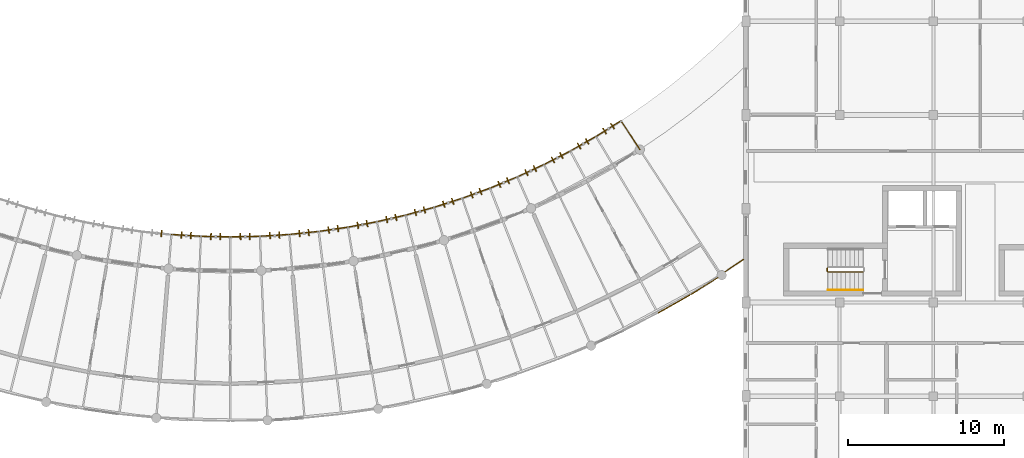
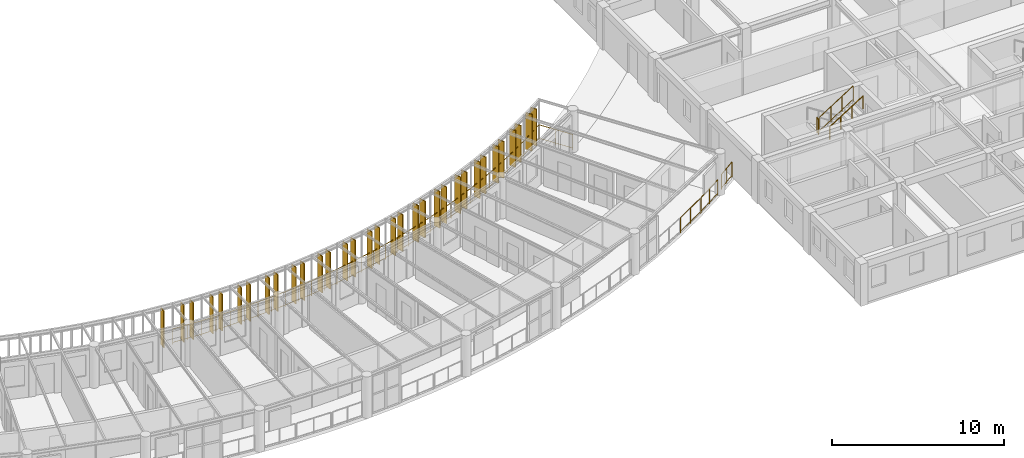
# One storey, part 93 of 101: 33 shading devices, 23 railings.
"""IFC4 building model written with IfcOpenShell, lengths in metres."""

from ifc_helpers import new_model, si_unit, direction, frame, origin, origin_2d, place, context, subcontext, project, spatial, rectangle, circle, extrude, material, layer, layer_set, type_object, element, save


model = new_model("IFC4")

# Units and contexts
model_context = context("Model", 3, precision=1e-05, world=origin(), true_north=direction((0.0, 1.0)))
body_context = subcontext(model_context, "Body", "Model", "MODEL_VIEW")
ifc_project = project(units=[si_unit("LENGTHUNIT", "METRE"), si_unit("AREAUNIT", "SQUARE_METRE"), si_unit("VOLUMEUNIT", "CUBIC_METRE"), si_unit("PLANEANGLEUNIT", "RADIAN"), si_unit("MASSUNIT", "GRAM", prefix="KILO"), si_unit("POWERUNIT", "WATT"), si_unit("THERMODYNAMICTEMPERATUREUNIT", "KELVIN")], contexts=[model_context])

# Site, building, storey
site_placement = place(None, origin())
site = spatial("IfcSite", under=ifc_project, at=site_placement, CompositionType="ELEMENT")
building_placement = place(site_placement, origin())
building = spatial("IfcBuilding", under=site, at=building_placement, Name="Ruvembo Vaulted Housing Court", CompositionType="ELEMENT")
storey_placement = place(building_placement, frame((0.0, 0.0, 17.300048828125)))
storey = spatial("IfcBuildingStorey", under=building, at=storey_placement, Name="L05", CompositionType="ELEMENT", Elevation=17.300048828125)

# Railings
ifc_material_1 = material(Name="Galvanised Painted Steel and Laminated Glass", Category="steel")
ifc_layer_1 = layer(ifc_material_1, 0.070068359375, Name="Galvanised Painted Steel and Laminated Glass")
ifc_layer_set_1 = layer_set([ifc_layer_1], Name="Galvanised Painted Steel and Laminated Glass")
railing_type_1 = type_object("IfcRailingType", Name="RL-BALUST-1120", PredefinedType="BALUSTRADE", material=ifc_layer_set_1)
railing_1_placement = place(storey_placement, frame((96.4072265625, 11.339599609375, 0.0)))
element("IfcRailing", 1, at=railing_1_placement, inside=storey, type_object=railing_type_1, Name="L05 Perimeter Guard RL-EXT-L05-0494", PredefinedType="BALUSTRADE", context=body_context, shape_type="SweptSolid", body=[
    extrude(circle(Radius=0.02392578125, at=origin_2d()), frame((0.0, 0.0, 1.09619140625), z_axis=(0.869960830337, 0.49312083071, 0.0), x_axis=(-0.49312083071, 0.869960830337, 0.0)), (0.0, 0.0, 1.0), 2.27587890625),
    extrude(circle(Radius=0.01806640625, at=origin_2d()), frame((0.0, 0.0, 0.1201171875), z_axis=(0.869960830337, 0.49312083071, 0.0), x_axis=(-0.49312083071, 0.869960830337, 0.0)), (0.0, 0.0, 1.0), 2.27587890625),
    extrude(circle(Radius=0.02099609375, at=origin_2d()), origin(), (0.0, 0.0, 1.0), 1.072021484375),
    extrude(circle(Radius=0.02099609375, at=origin_2d()), frame((0.989990234375, 0.56103515625, 0.0)), (0.0, 0.0, 1.0), 1.072021484375),
    extrude(circle(Radius=0.02099609375, at=origin_2d()), frame((1.97998046875, 1.122314453125, 0.0)), (0.0, 0.0, 1.0), 1.072021484375),
])
railing_2_placement = place(storey_placement, frame((98.47314453125, 12.512939453125, 0.0)))
element("IfcRailing", 2, at=railing_2_placement, inside=storey, type_object=railing_type_1, Name="L05 Perimeter Guard RL-EXT-L05-0495", PredefinedType="BALUSTRADE", context=body_context, shape_type="SweptSolid", body=[
    extrude(circle(Radius=0.02392578125, at=origin_2d()), frame((0.0, 0.0, 1.09619140625), z_axis=(0.848924451605, 0.528514215009, 0.0), x_axis=(-0.528514215009, 0.848924451605, 0.0)), (0.0, 0.0, 1.0), 2.026123046875),
    extrude(circle(Radius=0.01806640625, at=origin_2d()), frame((0.0, 0.0, 0.1201171875), z_axis=(0.848924451605, 0.528514215009, 0.0), x_axis=(-0.528514215009, 0.848924451605, 0.0)), (0.0, 0.0, 1.0), 2.026123046875),
    extrude(circle(Radius=0.02099609375, at=origin_2d()), origin(), (0.0, 0.0, 1.0), 1.072021484375),
    extrude(circle(Radius=0.02099609375, at=origin_2d()), frame((0.85986328125, 0.535400390625, 0.0)), (0.0, 0.0, 1.0), 1.072021484375),
    extrude(circle(Radius=0.02099609375, at=origin_2d()), frame((1.719970703125, 1.07080078125, 0.0)), (0.0, 0.0, 1.0), 1.072021484375),
])
ifc_material_2 = material(Name="Galvanised Painted Steel S275", Category="steel")
ifc_layer_2 = layer(ifc_material_2, 0.06005859375, Name="Galvanised Painted Steel S275")
ifc_layer_set_2 = layer_set([ifc_layer_2], Name="Galvanised Painted Steel S275")
railing_type_2 = type_object("IfcRailingType", Name="RL-GUARD-1100", PredefinedType="GUARDRAIL", material=ifc_layer_set_2)
railing_3_placement = place(storey_placement, frame((65.2255859375, 16.355712890625, 0.0)))
element("IfcRailing", 3, at=railing_3_placement, inside=storey, type_object=railing_type_2, Name="L05 Perimeter Guard RL-EXT-L05-0457", PredefinedType="GUARDRAIL", context=body_context, shape_type="SweptSolid", body=[
    extrude(circle(Radius=0.02392578125, at=origin_2d()), frame((0.0, 0.0, 1.076171875), z_axis=(0.998090110864, -0.061774837886, 0.0), x_axis=(0.061774837886, 0.998090110864, 0.0)), (0.0, 0.0, 1.0), 1.88916015625),
    extrude(circle(Radius=0.01806640625, at=origin_2d()), frame((0.0, 0.0, 0.1201171875), z_axis=(0.998090110864, -0.061774837886, 0.0), x_axis=(0.061774837886, 0.998090110864, 0.0)), (0.0, 0.0, 1.0), 1.88916015625),
    extrude(circle(Radius=0.02099609375, at=origin_2d()), origin(), (0.0, 0.0, 1.0), 1.052001953125),
    extrude(circle(Radius=0.02099609375, at=origin_2d()), frame((0.94287109375, -0.058349609375, 0.0)), (0.0, 0.0, 1.0), 1.052001953125),
    extrude(circle(Radius=0.02099609375, at=origin_2d()), frame((1.885498046875, -0.11669921875, 0.0)), (0.0, 0.0, 1.0), 1.052001953125),
])
railing_4_placement = place(storey_placement, frame((67.111083984375, 16.239013671875, 0.0)))
element("IfcRailing", 4, at=railing_4_placement, inside=storey, type_object=railing_type_2, Name="L05 Perimeter Guard RL-EXT-L05-0458", PredefinedType="GUARDRAIL", context=body_context, shape_type="SweptSolid", body=[
    extrude(circle(Radius=0.02392578125, at=origin_2d()), frame((0.0, 0.0, 1.076171875), z_axis=(0.99978624046, -0.020675429556, 0.0), x_axis=(0.020675429556, 0.99978624046, 0.0)), (0.0, 0.0, 1.0), 1.889404296875),
    extrude(circle(Radius=0.01806640625, at=origin_2d()), frame((0.0, 0.0, 0.1201171875), z_axis=(0.99978624046, -0.020675429556, 0.0), x_axis=(0.020675429556, 0.99978624046, 0.0)), (0.0, 0.0, 1.0), 1.889404296875),
    extrude(circle(Radius=0.02099609375, at=origin_2d()), origin(), (0.0, 0.0, 1.0), 1.052001953125),
    extrude(circle(Radius=0.02099609375, at=origin_2d()), frame((0.9443359375, -0.01953125, 0.0)), (0.0, 0.0, 1.0), 1.052001953125),
    extrude(circle(Radius=0.02099609375, at=origin_2d()), frame((1.888916015625, -0.0390625, 0.0)), (0.0, 0.0, 1.0), 1.052001953125),
])
railing_5_placement = place(storey_placement, frame((69.0, 16.199951171875, 0.0)))
element("IfcRailing", 5, at=railing_5_placement, inside=storey, type_object=railing_type_2, Name="L05 Perimeter Guard RL-EXT-L05-0459", PredefinedType="GUARDRAIL", context=body_context, shape_type="SweptSolid", body=[
    extrude(circle(Radius=0.02392578125, at=origin_2d()), frame((0.0, 0.0, 1.076171875), z_axis=(0.99978624046, 0.020675429556, 0.0), x_axis=(-0.020675429556, 0.99978624046, 0.0)), (0.0, 0.0, 1.0), 1.889404296875),
    extrude(circle(Radius=0.01806640625, at=origin_2d()), frame((0.0, 0.0, 0.1201171875), z_axis=(0.99978624046, 0.020675429556, 0.0), x_axis=(-0.020675429556, 0.99978624046, 0.0)), (0.0, 0.0, 1.0), 1.889404296875),
    extrude(circle(Radius=0.02099609375, at=origin_2d()), origin(), (0.0, 0.0, 1.0), 1.052001953125),
    extrude(circle(Radius=0.02099609375, at=origin_2d()), frame((0.9443359375, 0.01953125, 0.0)), (0.0, 0.0, 1.0), 1.052001953125),
    extrude(circle(Radius=0.02099609375, at=origin_2d()), frame((1.888916015625, 0.0390625, 0.0)), (0.0, 0.0, 1.0), 1.052001953125),
])
railing_6_placement = place(storey_placement, frame((70.888916015625, 16.239013671875, 0.0)))
element("IfcRailing", 6, at=railing_6_placement, inside=storey, type_object=railing_type_2, Name="L05 Perimeter Guard RL-EXT-L05-0460", PredefinedType="GUARDRAIL", context=body_context, shape_type="SweptSolid", body=[
    extrude(circle(Radius=0.02392578125, at=origin_2d()), frame((0.0, 0.0, 1.076171875), z_axis=(0.998090110864, 0.061774837886, 0.0), x_axis=(-0.061774837886, 0.998090110864, 0.0)), (0.0, 0.0, 1.0), 1.88916015625),
    extrude(circle(Radius=0.01806640625, at=origin_2d()), frame((0.0, 0.0, 0.1201171875), z_axis=(0.998090110864, 0.061774837886, 0.0), x_axis=(-0.061774837886, 0.998090110864, 0.0)), (0.0, 0.0, 1.0), 1.88916015625),
    extrude(circle(Radius=0.02099609375, at=origin_2d()), origin(), (0.0, 0.0, 1.0), 1.052001953125),
    extrude(circle(Radius=0.02099609375, at=origin_2d()), frame((0.94287109375, 0.058349609375, 0.0)), (0.0, 0.0, 1.0), 1.052001953125),
    extrude(circle(Radius=0.02099609375, at=origin_2d()), frame((1.885498046875, 0.11669921875, 0.0)), (0.0, 0.0, 1.0), 1.052001953125),
])
railing_7_placement = place(storey_placement, frame((72.7744140625, 16.355712890625, 0.0)))
element("IfcRailing", 7, at=railing_7_placement, inside=storey, type_object=railing_type_2, Name="L05 Perimeter Guard RL-EXT-L05-0461", PredefinedType="GUARDRAIL", context=body_context, shape_type="SweptSolid", body=[
    extrude(circle(Radius=0.02392578125, at=origin_2d()), frame((0.0, 0.0, 1.076171875), z_axis=(0.994683125416, 0.10298291127, 0.0), x_axis=(-0.10298291127, 0.994683125416, 0.0)), (0.0, 0.0, 1.0), 1.889404296875),
    extrude(circle(Radius=0.01806640625, at=origin_2d()), frame((0.0, 0.0, 0.1201171875), z_axis=(0.994683125416, 0.10298291127, 0.0), x_axis=(-0.10298291127, 0.994683125416, 0.0)), (0.0, 0.0, 1.0), 1.889404296875),
    extrude(circle(Radius=0.02099609375, at=origin_2d()), origin(), (0.0, 0.0, 1.0), 1.052001953125),
    extrude(circle(Radius=0.02099609375, at=origin_2d()), frame((0.939697265625, 0.09716796875, 0.0)), (0.0, 0.0, 1.0), 1.052001953125),
    extrude(circle(Radius=0.02099609375, at=origin_2d()), frame((1.87939453125, 0.194580078125, 0.0)), (0.0, 0.0, 1.0), 1.052001953125),
])
railing_8_placement = place(storey_placement, frame((74.65380859375, 16.55029296875, 0.0)))
element("IfcRailing", 8, at=railing_8_placement, inside=storey, type_object=railing_type_2, Name="L05 Perimeter Guard RL-EXT-L05-0462", PredefinedType="GUARDRAIL", context=body_context, shape_type="SweptSolid", body=[
    extrude(circle(Radius=0.02392578125, at=origin_2d()), frame((0.0, 0.0, 1.076171875), z_axis=(0.989600158039, 0.143845497701, 0.0), x_axis=(-0.143845497701, 0.989600158039, 0.0)), (0.0, 0.0, 1.0), 1.888916015625),
    extrude(circle(Radius=0.01806640625, at=origin_2d()), frame((0.0, 0.0, 0.1201171875), z_axis=(0.989600158039, 0.143845497701, 0.0), x_axis=(-0.143845497701, 0.989600158039, 0.0)), (0.0, 0.0, 1.0), 1.888916015625),
    extrude(circle(Radius=0.02099609375, at=origin_2d()), origin(), (0.0, 0.0, 1.0), 1.052001953125),
    extrude(circle(Radius=0.02099609375, at=origin_2d()), frame((0.9345703125, 0.1357421875, 0.0)), (0.0, 0.0, 1.0), 1.052001953125),
    extrude(circle(Radius=0.02099609375, at=origin_2d()), frame((1.869384765625, 0.271728515625, 0.0)), (0.0, 0.0, 1.0), 1.052001953125),
])
railing_9_placement = place(storey_placement, frame((76.523193359375, 16.822021484375, 0.0)))
element("IfcRailing", 9, at=railing_9_placement, inside=storey, type_object=railing_type_2, Name="L05 Perimeter Guard RL-EXT-L05-0463", PredefinedType="GUARDRAIL", context=body_context, shape_type="SweptSolid", body=[
    extrude(circle(Radius=0.02392578125, at=origin_2d()), frame((0.0, 0.0, 1.076171875), z_axis=(0.982804832401, 0.184647397515, 0.0), x_axis=(-0.184647397515, 0.982804832401, 0.0)), (0.0, 0.0, 1.0), 1.889404296875),
    extrude(circle(Radius=0.01806640625, at=origin_2d()), frame((0.0, 0.0, 0.1201171875), z_axis=(0.982804832401, 0.184647397515, 0.0), x_axis=(-0.184647397515, 0.982804832401, 0.0)), (0.0, 0.0, 1.0), 1.889404296875),
    extrude(circle(Radius=0.02099609375, at=origin_2d()), origin(), (0.0, 0.0, 1.0), 1.052001953125),
    extrude(circle(Radius=0.02099609375, at=origin_2d()), frame((0.928466796875, 0.17431640625, 0.0)), (0.0, 0.0, 1.0), 1.052001953125),
    extrude(circle(Radius=0.02099609375, at=origin_2d()), frame((1.85693359375, 0.348876953125, 0.0)), (0.0, 0.0, 1.0), 1.052001953125),
])
railing_10_placement = place(storey_placement, frame((78.380126953125, 17.1708984375, 0.0)))
element("IfcRailing", 10, at=railing_10_placement, inside=storey, type_object=railing_type_2, Name="L05 Perimeter Guard RL-EXT-L05-0464", PredefinedType="GUARDRAIL", context=body_context, shape_type="SweptSolid", body=[
    extrude(circle(Radius=0.02392578125, at=origin_2d()), frame((0.0, 0.0, 1.076171875), z_axis=(0.974391195695, 0.224859506699, 0.0), x_axis=(-0.224859506699, 0.974391195695, 0.0)), (0.0, 0.0, 1.0), 1.88916015625),
    extrude(circle(Radius=0.01806640625, at=origin_2d()), frame((0.0, 0.0, 0.1201171875), z_axis=(0.974391195695, 0.224859506699, 0.0), x_axis=(-0.224859506699, 0.974391195695, 0.0)), (0.0, 0.0, 1.0), 1.88916015625),
    extrude(circle(Radius=0.02099609375, at=origin_2d()), origin(), (0.0, 0.0, 1.0), 1.052001953125),
    extrude(circle(Radius=0.02099609375, at=origin_2d()), frame((0.92041015625, 0.21240234375, 0.0)), (0.0, 0.0, 1.0), 1.052001953125),
    extrude(circle(Radius=0.02099609375, at=origin_2d()), frame((1.8408203125, 0.4248046875, 0.0)), (0.0, 0.0, 1.0), 1.052001953125),
])
railing_11_placement = place(storey_placement, frame((80.220947265625, 17.595703125, 0.0)))
element("IfcRailing", 11, at=railing_11_placement, inside=storey, type_object=railing_type_2, Name="L05 Perimeter Guard RL-EXT-L05-0465", PredefinedType="GUARDRAIL", context=body_context, shape_type="SweptSolid", body=[
    extrude(circle(Radius=0.02392578125, at=origin_2d()), frame((0.0, 0.0, 1.076171875), z_axis=(0.964240073493, 0.26503033915, 0.0), x_axis=(-0.26503033915, 0.964240073493, 0.0)), (0.0, 0.0, 1.0), 1.889404296875),
    extrude(circle(Radius=0.01806640625, at=origin_2d()), frame((0.0, 0.0, 0.1201171875), z_axis=(0.964240073493, 0.26503033915, 0.0), x_axis=(-0.26503033915, 0.964240073493, 0.0)), (0.0, 0.0, 1.0), 1.889404296875),
    extrude(circle(Radius=0.02099609375, at=origin_2d()), origin(), (0.0, 0.0, 1.0), 1.052001953125),
    extrude(circle(Radius=0.02099609375, at=origin_2d()), frame((0.910888671875, 0.25048828125, 0.0)), (0.0, 0.0, 1.0), 1.052001953125),
    extrude(circle(Radius=0.02099609375, at=origin_2d()), frame((1.82177734375, 0.500732421875, 0.0)), (0.0, 0.0, 1.0), 1.052001953125),
])
railing_12_placement = place(storey_placement, frame((82.042724609375, 18.096435546875, 0.0)))
element("IfcRailing", 12, at=railing_12_placement, inside=storey, type_object=railing_type_2, Name="L05 Perimeter Guard RL-EXT-L05-0466", PredefinedType="GUARDRAIL", context=body_context, shape_type="SweptSolid", body=[
    extrude(circle(Radius=0.02392578125, at=origin_2d()), frame((0.0, 0.0, 1.076171875), z_axis=(0.952526124364, 0.304456864605, 0.0), x_axis=(-0.304456864605, 0.952526124364, 0.0)), (0.0, 0.0, 1.0), 1.88916015625),
    extrude(circle(Radius=0.01806640625, at=origin_2d()), frame((0.0, 0.0, 0.1201171875), z_axis=(0.952526124364, 0.304456864605, 0.0), x_axis=(-0.304456864605, 0.952526124364, 0.0)), (0.0, 0.0, 1.0), 1.88916015625),
    extrude(circle(Radius=0.02099609375, at=origin_2d()), origin(), (0.0, 0.0, 1.0), 1.052001953125),
    extrude(circle(Radius=0.02099609375, at=origin_2d()), frame((0.89990234375, 0.28759765625, 0.0)), (0.0, 0.0, 1.0), 1.052001953125),
    extrude(circle(Radius=0.02099609375, at=origin_2d()), frame((1.799560546875, 0.5751953125, 0.0)), (0.0, 0.0, 1.0), 1.052001953125),
])
railing_13_placement = place(storey_placement, frame((83.84228515625, 18.671630859375, 0.0)))
element("IfcRailing", 13, at=railing_13_placement, inside=storey, type_object=railing_type_2, Name="L05 Perimeter Guard RL-EXT-L05-0467", PredefinedType="GUARDRAIL", context=body_context, shape_type="SweptSolid", body=[
    extrude(circle(Radius=0.02392578125, at=origin_2d()), frame((0.0, 0.0, 1.076171875), z_axis=(0.939165556371, 0.343464783824, 0.0), x_axis=(-0.343464783824, 0.939165556371, 0.0)), (0.0, 0.0, 1.0), 1.889404296875),
    extrude(circle(Radius=0.01806640625, at=origin_2d()), frame((0.0, 0.0, 0.1201171875), z_axis=(0.939165556371, 0.343464783824, 0.0), x_axis=(-0.343464783824, 0.939165556371, 0.0)), (0.0, 0.0, 1.0), 1.889404296875),
    extrude(circle(Radius=0.02099609375, at=origin_2d()), origin(), (0.0, 0.0, 1.0), 1.052001953125),
    extrude(circle(Radius=0.02099609375, at=origin_2d()), frame((0.88720703125, 0.324462890625, 0.0)), (0.0, 0.0, 1.0), 1.052001953125),
    extrude(circle(Radius=0.02099609375, at=origin_2d()), frame((1.7744140625, 0.64892578125, 0.0)), (0.0, 0.0, 1.0), 1.052001953125),
])
railing_14_placement = place(storey_placement, frame((85.61669921875, 19.320556640625, 0.0)))
element("IfcRailing", 14, at=railing_14_placement, inside=storey, type_object=railing_type_2, Name="L05 Perimeter Guard RL-EXT-L05-0468", PredefinedType="GUARDRAIL", context=body_context, shape_type="SweptSolid", body=[
    extrude(circle(Radius=0.02392578125, at=origin_2d()), frame((0.0, 0.0, 1.076171875), z_axis=(0.924155321549, 0.38201693896, 0.0), x_axis=(-0.38201693896, 0.924155321549, 0.0)), (0.0, 0.0, 1.0), 1.88916015625),
    extrude(circle(Radius=0.01806640625, at=origin_2d()), frame((0.0, 0.0, 0.1201171875), z_axis=(0.924155321549, 0.38201693896, 0.0), x_axis=(-0.38201693896, 0.924155321549, 0.0)), (0.0, 0.0, 1.0), 1.88916015625),
    extrude(circle(Radius=0.02099609375, at=origin_2d()), origin(), (0.0, 0.0, 1.0), 1.052001953125),
    extrude(circle(Radius=0.02099609375, at=origin_2d()), frame((0.873046875, 0.36083984375, 0.0)), (0.0, 0.0, 1.0), 1.052001953125),
    extrude(circle(Radius=0.02099609375, at=origin_2d()), frame((1.745849609375, 0.7216796875, 0.0)), (0.0, 0.0, 1.0), 1.052001953125),
])
railing_15_placement = place(storey_placement, frame((87.362548828125, 20.042236328125, 0.0)))
element("IfcRailing", 15, at=railing_15_placement, inside=storey, type_object=railing_type_2, Name="L05 Perimeter Guard RL-EXT-L05-0469", PredefinedType="GUARDRAIL", context=body_context, shape_type="SweptSolid", body=[
    extrude(circle(Radius=0.02392578125, at=origin_2d()), frame((0.0, 0.0, 1.076171875), z_axis=(0.907656578832, 0.419713634403, 0.0), x_axis=(-0.419713634403, 0.907656578832, 0.0)), (0.0, 0.0, 1.0), 1.889404296875),
    extrude(circle(Radius=0.01806640625, at=origin_2d()), frame((0.0, 0.0, 0.1201171875), z_axis=(0.907656578832, 0.419713634403, 0.0), x_axis=(-0.419713634403, 0.907656578832, 0.0)), (0.0, 0.0, 1.0), 1.889404296875),
    extrude(circle(Radius=0.02099609375, at=origin_2d()), origin(), (0.0, 0.0, 1.0), 1.052001953125),
    extrude(circle(Radius=0.02099609375, at=origin_2d()), frame((0.857421875, 0.396484375, 0.0)), (0.0, 0.0, 1.0), 1.052001953125),
    extrude(circle(Radius=0.02099609375, at=origin_2d()), frame((1.71484375, 0.79296875, 0.0)), (0.0, 0.0, 1.0), 1.052001953125),
])
railing_16_placement = place(storey_placement, frame((89.077392578125, 20.835205078125, 0.0)))
element("IfcRailing", 16, at=railing_16_placement, inside=storey, type_object=railing_type_2, Name="L05 Perimeter Guard RL-EXT-L05-0470", PredefinedType="GUARDRAIL", context=body_context, shape_type="SweptSolid", body=[
    extrude(circle(Radius=0.02392578125, at=origin_2d()), frame((0.0, 0.0, 1.076171875), z_axis=(0.889568437347, 0.45680192127, 0.0), x_axis=(-0.45680192127, 0.889568437347, 0.0)), (0.0, 0.0, 1.0), 1.889404296875),
    extrude(circle(Radius=0.01806640625, at=origin_2d()), frame((0.0, 0.0, 0.1201171875), z_axis=(0.889568437347, 0.45680192127, 0.0), x_axis=(-0.45680192127, 0.889568437347, 0.0)), (0.0, 0.0, 1.0), 1.889404296875),
    extrude(circle(Radius=0.02099609375, at=origin_2d()), origin(), (0.0, 0.0, 1.0), 1.052001953125),
    extrude(circle(Radius=0.02099609375, at=origin_2d()), frame((0.84033203125, 0.431640625, 0.0)), (0.0, 0.0, 1.0), 1.052001953125),
    extrude(circle(Radius=0.02099609375, at=origin_2d()), frame((1.6806640625, 0.863037109375, 0.0)), (0.0, 0.0, 1.0), 1.052001953125),
])
railing_17_placement = place(storey_placement, frame((90.758056640625, 21.6982421875, 0.0)))
element("IfcRailing", 17, at=railing_17_placement, inside=storey, type_object=railing_type_2, Name="L05 Perimeter Guard RL-EXT-L05-0471", PredefinedType="GUARDRAIL", context=body_context, shape_type="SweptSolid", body=[
    extrude(circle(Radius=0.02392578125, at=origin_2d()), frame((0.0, 0.0, 1.076171875), z_axis=(0.869955662473, 0.493129947712, 0.0), x_axis=(-0.493129947712, 0.869955662473, 0.0)), (0.0, 0.0, 1.0), 1.88916015625),
    extrude(circle(Radius=0.01806640625, at=origin_2d()), frame((0.0, 0.0, 0.1201171875), z_axis=(0.869955662473, 0.493129947712, 0.0), x_axis=(-0.493129947712, 0.869955662473, 0.0)), (0.0, 0.0, 1.0), 1.88916015625),
    extrude(circle(Radius=0.02099609375, at=origin_2d()), origin(), (0.0, 0.0, 1.0), 1.052001953125),
    extrude(circle(Radius=0.02099609375, at=origin_2d()), frame((0.82177734375, 0.4658203125, 0.0)), (0.0, 0.0, 1.0), 1.052001953125),
    extrude(circle(Radius=0.02099609375, at=origin_2d()), frame((1.6435546875, 0.931640625, 0.0)), (0.0, 0.0, 1.0), 1.052001953125),
])
railing_18_placement = place(storey_placement, frame((92.401611328125, 22.6298828125, 0.0)))
element("IfcRailing", 18, at=railing_18_placement, inside=storey, type_object=railing_type_2, Name="L05 Perimeter Guard RL-EXT-L05-0472", PredefinedType="GUARDRAIL", context=body_context, shape_type="SweptSolid", body=[
    extrude(circle(Radius=0.02392578125, at=origin_2d()), frame((0.0, 0.0, 1.076171875), z_axis=(0.848904567119, 0.52854615307, 0.0), x_axis=(-0.52854615307, 0.848904567119, 0.0)), (0.0, 0.0, 1.0), 1.88916015625),
    extrude(circle(Radius=0.01806640625, at=origin_2d()), frame((0.0, 0.0, 0.1201171875), z_axis=(0.848904567119, 0.52854615307, 0.0), x_axis=(-0.52854615307, 0.848904567119, 0.0)), (0.0, 0.0, 1.0), 1.88916015625),
    extrude(circle(Radius=0.02099609375, at=origin_2d()), origin(), (0.0, 0.0, 1.0), 1.052001953125),
    extrude(circle(Radius=0.02099609375, at=origin_2d()), frame((0.8017578125, 0.499267578125, 0.0)), (0.0, 0.0, 1.0), 1.052001953125),
    extrude(circle(Radius=0.02099609375, at=origin_2d()), frame((1.603759765625, 0.99853515625, 0.0)), (0.0, 0.0, 1.0), 1.052001953125),
])
railing_19_placement = place(storey_placement, frame((94.00537109375, 23.62841796875, 0.0)))
element("IfcRailing", 19, at=railing_19_placement, inside=storey, type_object=railing_type_2, Name="L05 Perimeter Guard RL-EXT-L05-0473", PredefinedType="GUARDRAIL", context=body_context, shape_type="SweptSolid", body=[
    extrude(circle(Radius=0.02392578125, at=origin_2d()), frame((0.0, 0.0, 1.076171875), z_axis=(0.546013859183, -0.837776142881, 0.0), x_axis=(0.837776142881, 0.546013859183, 0.0)), (0.0, 0.0, 1.0), 2.199951171875),
    extrude(circle(Radius=0.01806640625, at=origin_2d()), frame((0.0, 0.0, 0.1201171875), z_axis=(0.546013859183, -0.837776142881, 0.0), x_axis=(0.837776142881, 0.546013859183, 0.0)), (0.0, 0.0, 1.0), 2.199951171875),
    extrude(circle(Radius=0.02099609375, at=origin_2d()), origin(), (0.0, 0.0, 1.0), 1.052001953125),
    extrude(circle(Radius=0.02099609375, at=origin_2d()), frame((0.6005859375, -0.92138671875, 0.0)), (0.0, 0.0, 1.0), 1.052001953125),
    extrude(circle(Radius=0.02099609375, at=origin_2d()), frame((1.201171875, -1.843017578125, 0.0)), (0.0, 0.0, 1.0), 1.052001953125),
])
railing_20_placement = place(storey_placement, frame((101.83251953125, 14.7587890625, 0.0)))
element("IfcRailing", 20, at=railing_20_placement, inside=storey, type_object=railing_type_2, Name="L05 Perimeter Guard RL-EXT-L05-0915", PredefinedType="GUARDRAIL", context=body_context, shape_type="SweptSolid", body=[
    extrude(circle(Radius=0.02392578125, at=origin_2d()), frame((0.0, 0.0, 1.076171875), z_axis=(-0.826253217327, -0.563298873474, 0.0), x_axis=(0.563298873474, -0.826253217327, 0.0)), (0.0, 0.0, 1.0), 1.397216796875),
    extrude(circle(Radius=0.01806640625, at=origin_2d()), frame((0.0, 0.0, 0.1201171875), z_axis=(-0.826253217327, -0.563298873474, 0.0), x_axis=(0.563298873474, -0.826253217327, 0.0)), (0.0, 0.0, 1.0), 1.397216796875),
    extrude(circle(Radius=0.02099609375, at=origin_2d()), origin(), (0.0, 0.0, 1.0), 1.052001953125),
    extrude(circle(Radius=0.02099609375, at=origin_2d()), frame((-0.5771484375, -0.3935546875, 0.0)), (0.0, 0.0, 1.0), 1.052001953125),
    extrude(circle(Radius=0.02099609375, at=origin_2d()), frame((-1.154541015625, -0.787109375, 0.0)), (0.0, 0.0, 1.0), 1.052001953125),
])
ifc_material_3 = material(Name="Painted Galvanised Steel S275", Category="steel")
ifc_layer_3 = layer(ifc_material_3, 0.06005859375, Name="Painted Galvanised Steel S275")
ifc_layer_set_3 = layer_set([ifc_layer_3], Name="Painted Galvanised Steel S275")
railing_type_3 = type_object("IfcRailingType", Name="RL-STAIR-GR1100", PredefinedType="GUARDRAIL", material=ifc_layer_set_3)
railing_21_placement = place(storey_placement, frame((107.2099609375, 14.199951171875, 1.599853515625)))
element("IfcRailing", 21, at=railing_21_placement, inside=storey, type_object=railing_type_3, Name="L05 ST-C1 stair guard 2", PredefinedType="GUARDRAIL", context=body_context, shape_type="SweptSolid", body=[
    extrude(circle(Radius=0.02392578125, at=origin_2d()), frame((0.0, 0.0, 1.076171875), z_axis=(0.0, -1.0, 0.0), x_axis=(1.0, 0.0, 0.0)), (0.0, 0.0, 1.0), 0.199951171875),
    extrude(circle(Radius=0.01806640625, at=origin_2d()), frame((0.0, 0.0, 0.1201171875), z_axis=(0.0, -1.0, 0.0), x_axis=(1.0, 0.0, 0.0)), (0.0, 0.0, 1.0), 0.199951171875),
    extrude(circle(Radius=0.02099609375, at=origin_2d()), origin(), (0.0, 0.0, 1.0), 1.052001953125),
    extrude(circle(Radius=0.02099609375, at=origin_2d()), frame((0.0, -0.199951171875, 0.0)), (0.0, 0.0, 1.0), 1.052001953125),
])
railing_22_placement = place(storey_placement, frame((107.260009765625, 13.949951171875, 1.77783203125)))
element("IfcRailing", 22, at=railing_22_placement, inside=storey, type_object=railing_type_3, Name="L05 ST-C1 stair guard 3", PredefinedType="GUARDRAIL", context=body_context, shape_type="SweptSolid", body=[
    extrude(circle(Radius=0.02392578125, at=origin_2d()), frame((0.0, 0.0, 1.076171875), z_axis=(0.8442293374, 0.0, 0.53598211339), x_axis=(0.0, 1.0, 0.0)), (0.0, 0.0, 1.0), 2.6533203125),
    extrude(circle(Radius=0.01806640625, at=origin_2d()), frame((0.0, 0.0, 0.1201171875), z_axis=(0.8442293374, 0.0, 0.53598211339), x_axis=(0.0, 1.0, 0.0)), (0.0, 0.0, 1.0), 2.6533203125),
    extrude(circle(Radius=0.02099609375, at=origin_2d()), origin(), (0.0, 0.0, 1.0), 1.052001953125),
    extrude(circle(Radius=0.02099609375, at=origin_2d()), frame((0.74658203125, 0.0, 0.47412109375)), (0.0, 0.0, 1.0), 1.052001953125),
    extrude(circle(Radius=0.02099609375, at=origin_2d()), frame((1.493408203125, 0.0, 0.947998046875)), (0.0, 0.0, 1.0), 1.052001953125),
    extrude(circle(Radius=0.02099609375, at=origin_2d()), frame((2.239990234375, 0.0, 1.422119140625)), (0.0, 0.0, 1.0), 1.052001953125),
])
ifc_material_4 = material(Name="Brushed Stainless Steel 304", Category="steel")
ifc_layer_4 = layer(ifc_material_4, 0.050048828125, Name="Brushed Stainless Steel 304")
ifc_layer_set_4 = layer_set([ifc_layer_4], Name="Brushed Stainless Steel 304")
railing_type_4 = type_object("IfcRailingType", Name="RL-STAIR-HR920", PredefinedType="HANDRAIL", material=ifc_layer_set_4)
railing_23_placement = place(storey_placement, frame((107.260009765625, 12.800048828125, 1.959228515625)))
element("IfcRailing", 23, at=railing_23_placement, inside=storey, type_object=railing_type_4, Name="L05 ST-C1 stair handrail 2", PredefinedType="HANDRAIL", context=body_context, shape_type="SweptSolid", body=[
    extrude(circle(Radius=0.02392578125, at=origin_2d()), frame((0.0, 0.0, 0.8759765625), z_axis=(0.8442293374, 0.0, 0.53598211339), x_axis=(0.0, 1.0, 0.0)), (0.0, 0.0, 1.0), 2.6533203125),
    extrude(circle(Radius=0.02099609375, at=origin_2d()), origin(), (0.0, 0.0, 1.0), 0.851806640625),
    extrude(circle(Radius=0.02099609375, at=origin_2d()), frame((0.74658203125, 0.0, 0.47412109375)), (0.0, 0.0, 1.0), 0.851806640625),
    extrude(circle(Radius=0.02099609375, at=origin_2d()), frame((1.493408203125, 0.0, 0.947998046875)), (0.0, 0.0, 1.0), 0.851806640625),
    extrude(circle(Radius=0.02099609375, at=origin_2d()), frame((2.239990234375, 0.0, 1.422119140625)), (0.0, 0.0, 1.0), 0.851806640625),
])

# Shading devices
ifc_material_5 = material(Name="Kiln-Fired Terracotta Extrusion", Category="masonry")
shading_device_type = type_object("IfcShadingDeviceType", Name="SHD-FIN-420", PredefinedType="USERDEFINED", material=ifc_material_5)
for number, where, z_axis, x_axis, name in (
    (24, (64.584228515625, 16.422119140625, 0.050048828125), (0.0, 0.0, 1.0), (-0.102948783072, -0.994686658232, 0.0), "Terracotta Brise-Soleil Fin #438"),
    (25, (65.868896484375, 16.31591796875, 0.050048828125), (0.0, 0.0, 1.0), (-0.061832453863, -0.998086543166, 0.0), "Terracotta Brise-Soleil Fin #439"),
    (26, (66.4677734375, 16.27880859375, 0.050048828125), (0.0, 0.0, 1.0), (-0.061832453863, -0.998086543166, 0.0), "Terracotta Brise-Soleil Fin #440"),
    (27, (67.755615234375, 16.2255859375, 0.050048828125), (0.0, 0.0, 1.0), (-0.020645778066, -0.999786853208, 0.0), "Terracotta Brise-Soleil Fin #441"),
    (28, (68.35546875, 16.21337890625, 0.050048828125), (0.0, 0.0, 1.0), (-0.020645778066, -0.999786853208, 0.0), "Terracotta Brise-Soleil Fin #442"),
    (29, (69.64453125, 16.21337890625, 0.050048828125), (0.0, 0.0, 1.0), (0.020645778066, -0.999786853208, 0.0), "Terracotta Brise-Soleil Fin #443"),
    (30, (70.244384765625, 16.2255859375, 0.050048828125), (0.0, 0.0, 1.0), (0.020645778066, -0.999786853208, 0.0), "Terracotta Brise-Soleil Fin #444"),
    (31, (71.5322265625, 16.27880859375, 0.050048828125), (0.0, 0.0, 1.0), (0.061832453863, -0.998086543166, 0.0), "Terracotta Brise-Soleil Fin #445"),
    (32, (72.131103515625, 16.31591796875, 0.050048828125), (0.0, 0.0, 1.0), (0.061832453863, -0.998086543166, 0.0), "Terracotta Brise-Soleil Fin #446"),
    (33, (73.415771484375, 16.422119140625, 0.050048828125), (0.0, 0.0, 1.0), (0.102948783072, -0.994686658232, 0.0), "Terracotta Brise-Soleil Fin #447"),
    (34, (74.012451171875, 16.48388671875, 0.050048828125), (0.0, 0.0, 1.0), (0.102948783072, -0.994686658232, 0.0), "Terracotta Brise-Soleil Fin #448"),
    (35, (75.29150390625, 16.64306640625, 0.050048828125), (0.0, 0.0, 1.0), (0.143872610257, -0.989596216655, 0.0), "Terracotta Brise-Soleil Fin #449"),
    (36, (75.885498046875, 16.7294921875, 0.050048828125), (0.0, 0.0, 1.0), (0.143872610257, -0.989596216655, 0.0), "Terracotta Brise-Soleil Fin #450"),
    (37, (77.156982421875, 16.941162109375, 0.050048828125), (0.0, 0.0, 1.0), (0.184568910756, -0.982819575091, 0.0), "Terracotta Brise-Soleil Fin #451"),
    (38, (77.74658203125, 17.0517578125, 0.050048828125), (0.0, 0.0, 1.0), (0.184568910756, -0.982819575091, 0.0), "Terracotta Brise-Soleil Fin #452"),
    (39, (79.00830078125, 17.31591796875, 0.050048828125), (0.0, 0.0, 1.0), (0.224951054344, -0.974370064785, 0.0), "Terracotta Brise-Soleil Fin #453"),
    (40, (79.593017578125, 17.45068359375, 0.050048828125), (0.0, 0.0, 1.0), (0.224951054344, -0.974370064785, 0.0), "Terracotta Brise-Soleil Fin #454"),
    (41, (80.842529296875, 17.7666015625, 0.050048828125), (0.0, 0.0, 1.0), (0.264983965035, -0.96425281865, 0.0), "Terracotta Brise-Soleil Fin #455"),
    (42, (81.421142578125, 17.925537109375, 0.050048828125), (0.0, 0.0, 1.0), (0.264983965035, -0.96425281865, 0.0), "Terracotta Brise-Soleil Fin #456"),
    (43, (82.65673828125, 18.292724609375, 0.050048828125), (0.0, 0.0, 1.0), (0.304448708958, -0.952528731122, 0.0), "Terracotta Brise-Soleil Fin #457"),
    (44, (83.228271484375, 18.475341796875, 0.050048828125), (0.0, 0.0, 1.0), (0.304448708958, -0.952528731122, 0.0), "Terracotta Brise-Soleil Fin #458"),
    (45, (84.44775390625, 18.89306640625, 0.050048828125), (0.0, 0.0, 1.0), (0.343512177766, -0.939148222447, 0.0), "Terracotta Brise-Soleil Fin #459"),
    (46, (85.01123046875, 19.09912109375, 0.050048828125), (0.0, 0.0, 1.0), (0.343512177766, -0.939148222447, 0.0), "Terracotta Brise-Soleil Fin #460"),
    (47, (86.21240234375, 19.56689453125, 0.050048828125), (0.0, 0.0, 1.0), (0.381957701122, -0.924179806398, 0.0), "Terracotta Brise-Soleil Fin #461"),
    (48, (86.766845703125, 19.7958984375, 0.050048828125), (0.0, 0.0, 1.0), (0.381957701122, -0.924179806398, 0.0), "Terracotta Brise-Soleil Fin #462"),
    (49, (87.94775390625, 20.312744140625, 0.050048828125), (0.0, 0.0, 1.0), (0.419737248448, -0.90764565898, 0.0), "Terracotta Brise-Soleil Fin #463"),
    (50, (88.4921875, 20.564697265625, 0.050048828125), (0.0, 0.0, 1.0), (0.419737248448, -0.90764565898, 0.0), "Terracotta Brise-Soleil Fin #464"),
    (51, (89.65087890625, 21.129638671875, 0.050048828125), (0.0, 0.0, 1.0), (0.456849537333, -0.889543984432, 0.0), "Terracotta Brise-Soleil Fin #465"),
    (52, (90.1845703125, 21.40380859375, 0.050048828125), (0.0, 0.0, 1.0), (0.456849537333, -0.889543984432, 0.0), "Terracotta Brise-Soleil Fin #466"),
    (53, (91.31884765625, 22.01611328125, 0.050048828125), (0.0, 0.0, 1.0), (0.493106983922, -0.86996867898, 0.0), "Terracotta Brise-Soleil Fin #467"),
    (54, (91.8408203125, 22.31201171875, 0.050048828125), (0.0, 0.0, 1.0), (0.493106983922, -0.86996867898, 0.0), "Terracotta Brise-Soleil Fin #468"),
    (55, (92.94873046875, 22.970703125, 0.050048828125), (0.0, 0.0, 1.0), (0.528556868381, -0.848897895443, 0.0), "Terracotta Brise-Soleil Fin #469"),
    (56, (93.458251953125, 23.287841796875, 0.050048828125), (0.0, 0.0, 1.0), (0.528556868381, -0.848897895443, 0.0), "Terracotta Brise-Soleil Fin #470"),
):
    element("IfcShadingDevice", number, at=place(storey_placement, frame(where, z_axis=z_axis, x_axis=x_axis)), inside=storey, type_object=shading_device_type, Name=name, ObjectType="FIN", PredefinedType="USERDEFINED", context=body_context, shape_type="SweptSolid", body=[
        extrude(rectangle(XDim=0.419921875, YDim=0.06494140625, at=origin_2d()), origin(), (0.0, 0.0, 1.0), 2.60498046875),
    ])

save(model, "model.ifc")
